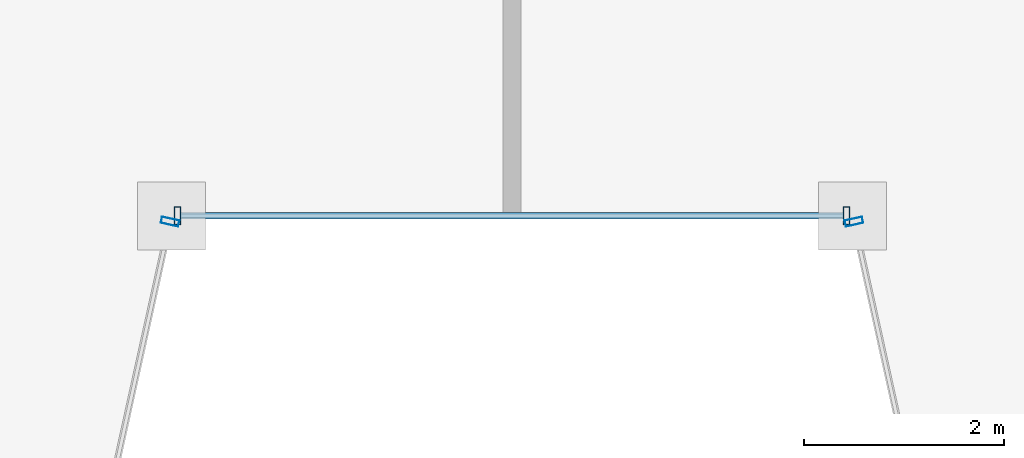
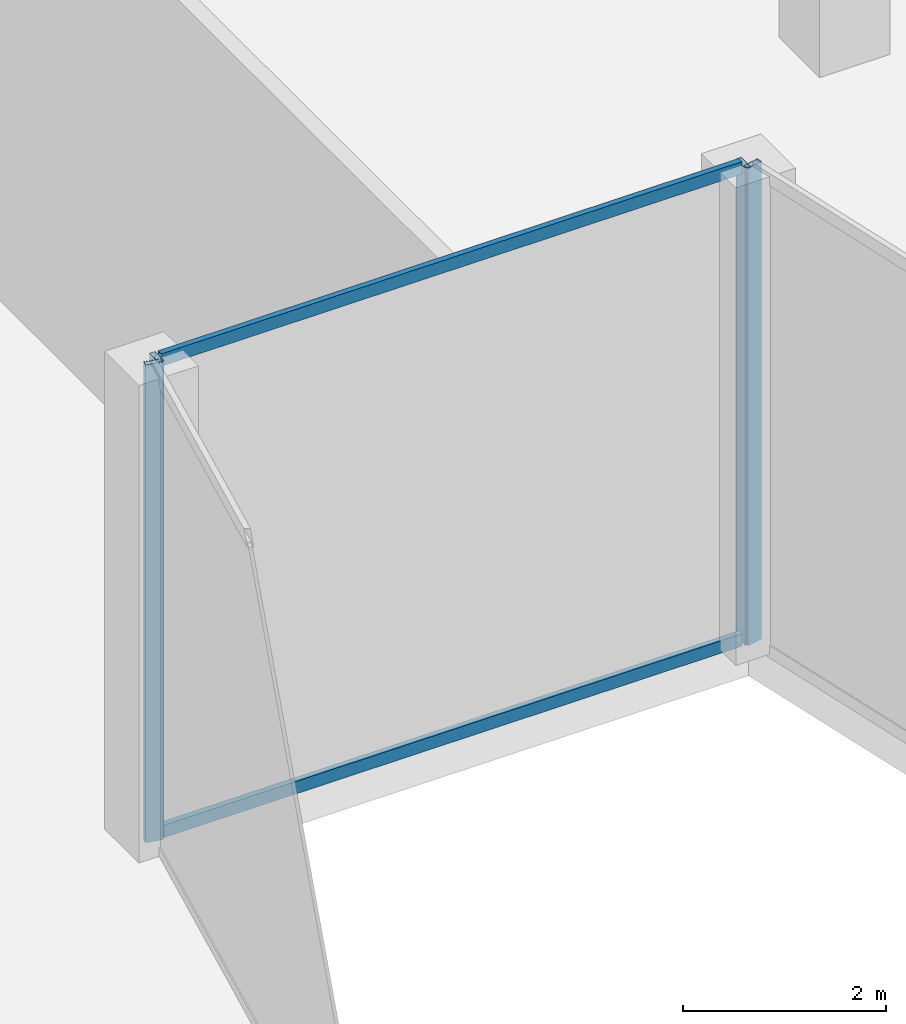
# One storey, part 9 of 35: 6 members, 3 elements without a shape of their own.
"""IFC4 building model written with IfcOpenShell, lengths in metres."""

from ifc_helpers import new_model, si_unit, direction, frame, origin, origin_2d, place, context, subcontext, project, spatial, hollow_rectangle, extrude, material, material_profile, profile_set, type_object, element, aggregate, save


model = new_model("IFC4")

# Units and contexts
model_context = context("Model", 3, precision=1e-05, world=origin(), true_north=direction((0.0, 1.0)))
body_context = subcontext(model_context, "Body", "Model", "MODEL_VIEW")
ifc_project = project(units=[si_unit("LENGTHUNIT", "METRE"), si_unit("AREAUNIT", "SQUARE_METRE"), si_unit("VOLUMEUNIT", "CUBIC_METRE"), si_unit("PLANEANGLEUNIT", "RADIAN"), si_unit("MASSUNIT", "GRAM", prefix="KILO")], contexts=[model_context])

# Site, building, storey
site_placement = place(None, origin())
site = spatial("IfcSite", under=ifc_project, at=site_placement, CompositionType="ELEMENT")
building_placement = place(site_placement, origin())
building = spatial("IfcBuilding", under=site, at=building_placement, Name="Saevonmaru Cultural Tower", CompositionType="ELEMENT")
storey_placement = place(building_placement, frame((0.0, 0.0, 86.800048828125)))
storey = spatial("IfcBuildingStorey", under=building, at=storey_placement, Name="L18", CompositionType="ELEMENT", Elevation=86.800048828125)

# Curtain wall, member
ifc_material = material(Name="Satin Bronze Anodised Aluminium", Category="aluminium")
curtain_wall_type = type_object("IfcCurtainWallType", Name="CW-TYP-A", PredefinedType="NOTDEFINED", material=ifc_material)
curtain_wall_1_placement = place(storey_placement, origin())
curtain_wall_1 = element("IfcCurtainWall", 1, at=curtain_wall_1_placement, inside=storey, type_object=curtain_wall_type, Name="L18 Wind-Floor Acoustic Louvre Screen E3", PredefinedType="NOTDEFINED")
ifc_material_profile_1 = material_profile(ifc_material, hollow_rectangle(XDim=0.06494140625, YDim=0.179931640625, WallThickness=0.00390625, at=origin_2d()), Name="ALU-MULL-180x65x4")
ifc_profile_set_1 = profile_set([ifc_material_profile_1], Name="Satin Bronze Anodised Aluminium")
member_type_1 = type_object("IfcMemberType", Name="ML-CW-180x65", PredefinedType="MULLION", material=ifc_profile_set_1)
member_1_placement = place(storey_placement, frame((26.587158203125, 15.54150390625, 0.0), z_axis=(0.0, 0.0, 1.0), x_axis=(0.215413319953, 0.976522965212, 0.0)))
member_1 = element("IfcMember", 2, at=member_1_placement, type_object=member_type_1, Name="CW-TW-L18-E3 mullion 2", PredefinedType="MULLION", context=body_context, shape_type="SweptSolid", body=[
    extrude(hollow_rectangle(XDim=0.06494140625, YDim=0.179931640625, WallThickness=0.00390625, at=origin_2d()), origin(), (0.0, 0.0, 1.0), 5.75),
])
aggregate(curtain_wall_1, [member_1])

# Curtain wall, members
curtain_wall_2_placement = place(storey_placement, origin())
curtain_wall_2 = element("IfcCurtainWall", 3, at=curtain_wall_2_placement, inside=storey, type_object=curtain_wall_type, Name="L18 Wind-Floor Acoustic Louvre Screen E4", PredefinedType="NOTDEFINED")
member_2_placement = place(storey_placement, frame((26.659912109375, 15.60009765625, 0.0), z_axis=(0.0, 0.0, 1.0), x_axis=(1.0, 0.0, 0.0)))
member_2 = element("IfcMember", 4, at=member_2_placement, type_object=member_type_1, Name="CW-TW-L18-E4 mullion 1", PredefinedType="MULLION", context=body_context, shape_type="SweptSolid", body=[
    extrude(hollow_rectangle(XDim=0.06494140625, YDim=0.179931640625, WallThickness=0.00390625, at=origin_2d()), origin(), (0.0, 0.0, 1.0), 5.75),
])
member_3_placement = place(storey_placement, frame((33.340087890625, 15.60009765625, 0.0), z_axis=(0.0, 0.0, 1.0), x_axis=(1.0, 0.0, 0.0)))
member_3 = element("IfcMember", 5, at=member_3_placement, type_object=member_type_1, Name="CW-TW-L18-E4 mullion 2", PredefinedType="MULLION", context=body_context, shape_type="SweptSolid", body=[
    extrude(hollow_rectangle(XDim=0.06494140625, YDim=0.179931640625, WallThickness=0.00390625, at=origin_2d()), origin(), (0.0, 0.0, 1.0), 5.75),
])

# Curtain wall, member
curtain_wall_3_placement = place(storey_placement, origin())
curtain_wall_3 = element("IfcCurtainWall", 6, at=curtain_wall_3_placement, inside=storey, type_object=curtain_wall_type, Name="L18 Wind-Floor Acoustic Louvre Screen E5", PredefinedType="NOTDEFINED")
member_4_placement = place(storey_placement, frame((33.412841796875, 15.54150390625, 0.0), z_axis=(0.0, 0.0, 1.0), x_axis=(0.215413319953, -0.976522965212, 0.0)))
member_4 = element("IfcMember", 7, at=member_4_placement, type_object=member_type_1, Name="CW-TW-L18-E5 mullion 1", PredefinedType="MULLION", context=body_context, shape_type="SweptSolid", body=[
    extrude(hollow_rectangle(XDim=0.06494140625, YDim=0.179931640625, WallThickness=0.00390625, at=origin_2d()), origin(), (0.0, 0.0, 1.0), 5.75),
])
aggregate(curtain_wall_3, [member_4])

# Member
ifc_material_profile_2 = material_profile(ifc_material, hollow_rectangle(XDim=0.06494140625, YDim=0.14990234375, WallThickness=0.00390625, at=origin_2d()), Name="ALU-TRAN-150x65x4")
ifc_profile_set_2 = profile_set([ifc_material_profile_2], Name="Satin Bronze Anodised Aluminium")
member_type_2 = type_object("IfcMemberType", Name="TR-CW-150x65", PredefinedType="USERDEFINED", material=ifc_profile_set_2)
member_5_placement = place(storey_placement, frame((26.6923828125, 15.60009765625, 0.032470703125), z_axis=(1.0, 0.0, 0.0), x_axis=(0.0, 1.0, 0.0)))
member_5 = element("IfcMember", 8, at=member_5_placement, type_object=member_type_2, Name="CW-TW-L18-E4 transom 1.1", ObjectType="TRANSOM", PredefinedType="USERDEFINED", context=body_context, shape_type="SweptSolid", body=[
    extrude(hollow_rectangle(XDim=0.06494140625, YDim=0.14990234375, WallThickness=0.00390625, at=origin_2d()), origin(), (0.0, 0.0, 1.0), 6.615234375),
])

member_6_placement = place(storey_placement, frame((26.6923828125, 15.60009765625, 5.717529296875), z_axis=(1.0, 0.0, 0.0), x_axis=(0.0, 1.0, 0.0)))
member_6 = element("IfcMember", 9, at=member_6_placement, type_object=member_type_2, Name="CW-TW-L18-E4 transom 1.2", ObjectType="TRANSOM", PredefinedType="USERDEFINED", context=body_context, shape_type="SweptSolid", body=[
    extrude(hollow_rectangle(XDim=0.06494140625, YDim=0.14990234375, WallThickness=0.00390625, at=origin_2d()), origin(), (0.0, 0.0, 1.0), 6.615234375),
])

aggregate(curtain_wall_2, [member_2, member_3, member_5, member_6])

save(model, "model.ifc")
